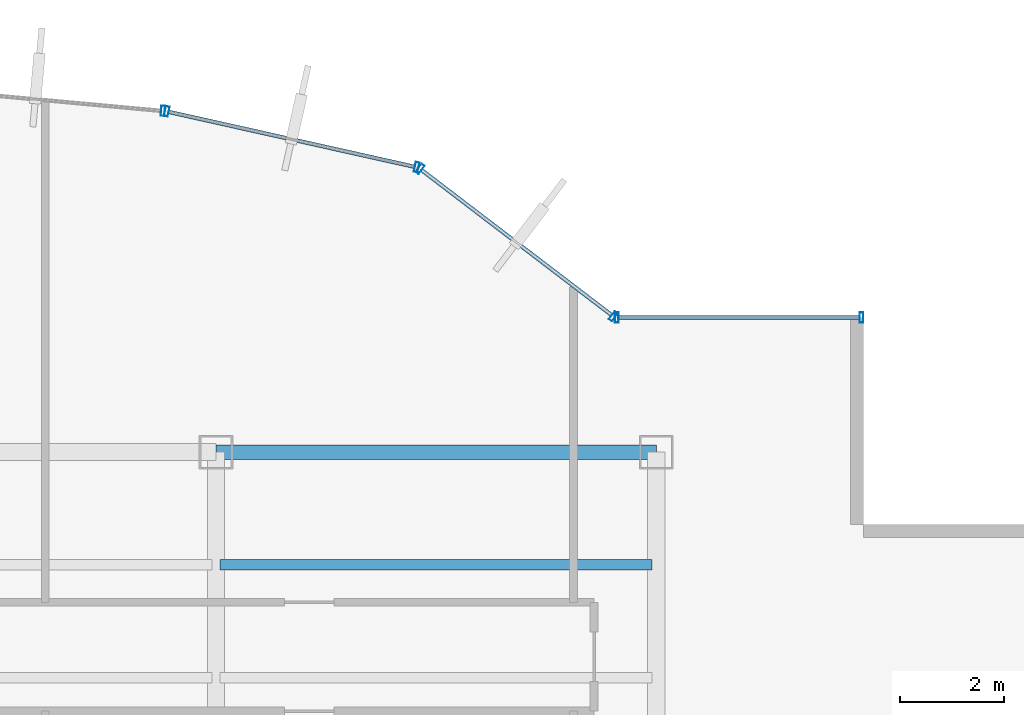
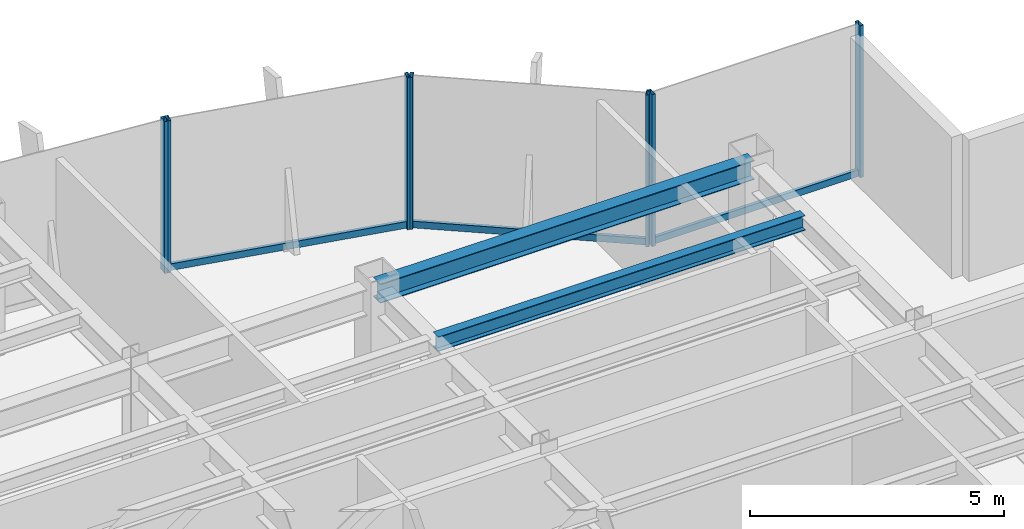
# One storey, part 17 of 25: 10 members, 2 beams, 4 elements without a shape of their own.
"""IFC4 building model written with IfcOpenShell, lengths in metres."""

from ifc_helpers import new_model, si_unit, derived_unit, direction, frame, origin, origin_2d, place, context, subcontext, project, spatial, hollow_rectangle, i_section, extrude, source, transform, mapped, material, material_profile, profile_set, type_object, element, aggregate, save


model = new_model("IFC4")

# Units and contexts
model_context = context("Model", 3, precision=1e-05, world=origin(), true_north=direction((0.0, 1.0)))
body_context = subcontext(model_context, "Body", "Model", "MODEL_VIEW")
ifc_project = project(units=[si_unit("LENGTHUNIT", "METRE"), si_unit("AREAUNIT", "SQUARE_METRE"), si_unit("VOLUMEUNIT", "CUBIC_METRE"), si_unit("PLANEANGLEUNIT", "RADIAN"), si_unit("MASSUNIT", "GRAM", prefix="KILO"), derived_unit("THERMALTRANSMITTANCEUNIT", [(si_unit("POWERUNIT", "WATT"), 1), (si_unit("LENGTHUNIT", "METRE"), -2), (si_unit("THERMODYNAMICTEMPERATUREUNIT", "KELVIN"), -1)])], contexts=[model_context])

# Site, building, storey
site_placement = place(None, origin())
site = spatial("IfcSite", under=ifc_project, at=site_placement, CompositionType="ELEMENT")
building_placement = place(site_placement, origin())
building = spatial("IfcBuilding", under=site, at=building_placement, Name="Skarnbrae Concourse Arena and Tower", CompositionType="ELEMENT")
storey_placement = place(building_placement, frame((0.0, 0.0, 173.449951171875)))
storey = spatial("IfcBuildingStorey", under=building, at=storey_placement, Name="L44", CompositionType="ELEMENT", Elevation=173.449951171875)

# Beams
ifc_material_1 = material(Name="Steel CSA G40.21 350W", Category="steel")
ifc_material_profile_1 = material_profile(ifc_material_1, i_section(OverallWidth=0.280029296875, OverallDepth=0.462890625, WebThickness=0.0107421875, FlangeThickness=0.017333984375, at=origin_2d()), Name="W460X113")
ifc_profile_set_1 = profile_set([ifc_material_profile_1], Name="Steel CSA G40.21 350W")
beam_type_1 = type_object("IfcBeamType", Name="BM-SPAN-W460X113", PredefinedType="SPANDREL", material=ifc_profile_set_1)
shared_shape_1 = source(origin(), body_context, "Body", "SweptSolid", [
    extrude(i_section(OverallWidth=0.280029296875, OverallDepth=0.462890625, WebThickness=0.0107421875, FlangeThickness=0.017333984375, at=origin_2d()), origin(), (0.0, 0.0, 1.0), 8.5),
])
beam_1_placement = place(storey_placement, frame((33.5, 34.39990234375, 3.16845703125), z_axis=(1.0, 0.0, 0.0), x_axis=(0.0, 1.0, 0.0)))
element("IfcBeam", 1, at=beam_1_placement, inside=storey, type_object=beam_type_1, Name="L44 Perimeter spandrel Y34.4-5", PredefinedType="SPANDREL", context=body_context, shape_type="MappedRepresentation", body=[
    mapped(shared_shape_1, transform((0.0, 0.0, 0.0))),
])
ifc_material_profile_2 = material_profile(ifc_material_1, i_section(OverallWidth=0.205078125, OverallDepth=0.35400390625, WebThickness=0.009521484375, FlangeThickness=0.016845703125, at=origin_2d()), Name="W360X79")
ifc_profile_set_2 = profile_set([ifc_material_profile_2], Name="Steel CSA G40.21 350W")
beam_type_2 = type_object("IfcBeamType", Name="BM-JOIST-W360X79", PredefinedType="JOIST", material=ifc_profile_set_2)
shared_shape_2 = source(origin(), body_context, "Body", "SweptSolid", [
    extrude(i_section(OverallWidth=0.205078125, OverallDepth=0.35400390625, WebThickness=0.009521484375, FlangeThickness=0.016845703125, at=origin_2d()), origin(), (0.0, 0.0, 1.0), 8.33984375),
])
beam_2_placement = place(storey_placement, frame((33.580078125, 32.221923828125, 3.22314453125), z_axis=(1.0, 0.0, 0.0), x_axis=(0.0, 1.0, 0.0)))
element("IfcBeam", 2, at=beam_2_placement, inside=storey, type_object=beam_type_2, Name="L44 Secondary floor joist 3.2.5", PredefinedType="JOIST", context=body_context, shape_type="MappedRepresentation", body=[
    mapped(shared_shape_2, transform((0.0, 0.0, 0.0))),
])

# Curtain wall, members
ifc_material_2 = material(Name="Bronze anodised aluminium 6063-T6", Category="aluminium")
curtain_wall_type = type_object("IfcCurtainWallType", Name="CW-SYS-04-MIDZONE", PredefinedType="USERDEFINED", material=ifc_material_2)
curtain_wall_1_placement = place(storey_placement, origin())
curtain_wall_1 = element("IfcCurtainWall", 3, at=curtain_wall_1_placement, inside=storey, type_object=curtain_wall_type, Name="L44 Unitised curtain wall CW-L44-E07", ObjectType="UNITISED CURTAIN WALL", PredefinedType="USERDEFINED")
ifc_material_profile_3 = material_profile(ifc_material_2, hollow_rectangle(XDim=0.074951171875, YDim=0.195068359375, WallThickness=0.00439453125, at=origin_2d()), Name="ALU-MULL-75X195")
ifc_profile_set_3 = profile_set([ifc_material_profile_3], Name="Bronze anodised aluminium 6063-T6")
member_type_1 = type_object("IfcMemberType", Name="CWM-CW-04", PredefinedType="MULLION", material=ifc_profile_set_3)
shared_shape_3 = source(origin(), body_context, "Body", "SweptSolid", [
    extrude(hollow_rectangle(XDim=0.074951171875, YDim=0.195068359375, WallThickness=0.00439453125, at=origin_2d()), origin(), (0.0, 0.0, 1.0), 3.650146484375),
])
member_1_placement = place(storey_placement, frame((45.96240234375, 37.0, 0.0), z_axis=(0.0, 0.0, 1.0), x_axis=(-1.0, 0.0, 0.0)))
member_1 = element("IfcMember", 4, at=member_1_placement, type_object=member_type_1, Name="CW-L44-E07 Mullion 1", PredefinedType="MULLION", context=body_context, shape_type="MappedRepresentation", body=[
    mapped(shared_shape_3, transform((0.0, 0.0, 0.0))),
])
member_2_placement = place(storey_placement, frame((41.237548828125, 37.0, 0.0), z_axis=(0.0, 0.0, 1.0), x_axis=(-1.0, 0.0, 0.0)))
member_2 = element("IfcMember", 5, at=member_2_placement, type_object=member_type_1, Name="CW-L44-E07 Mullion 2", PredefinedType="MULLION", context=body_context, shape_type="MappedRepresentation", body=[
    mapped(shared_shape_3, transform((0.0, 0.0, 0.0))),
])

curtain_wall_2_placement = place(storey_placement, origin())
curtain_wall_2 = element("IfcCurtainWall", 6, at=curtain_wall_2_placement, inside=storey, type_object=curtain_wall_type, Name="L44 Unitised curtain wall CW-L44-E08", ObjectType="UNITISED CURTAIN WALL", PredefinedType="USERDEFINED")
member_3_placement = place(storey_placement, frame((41.170166015625, 37.022705078125, 0.0), z_axis=(0.0, 0.0, 1.0), x_axis=(-0.794956000706, 0.606667089054, 0.0)))
member_3 = element("IfcMember", 7, at=member_3_placement, type_object=member_type_1, Name="CW-L44-E08 Mullion 1", PredefinedType="MULLION", context=body_context, shape_type="MappedRepresentation", body=[
    mapped(shared_shape_3, transform((0.0, 0.0, 0.0))),
])
member_4_placement = place(storey_placement, frame((37.439208984375, 39.869873046875, 0.0), z_axis=(0.0, 0.0, 1.0), x_axis=(-0.794956000706, 0.606667089054, 0.0)))
member_4 = element("IfcMember", 8, at=member_4_placement, type_object=member_type_1, Name="CW-L44-E08 Mullion 2", PredefinedType="MULLION", context=body_context, shape_type="MappedRepresentation", body=[
    mapped(shared_shape_3, transform((0.0, 0.0, 0.0))),
])

curtain_wall_3_placement = place(storey_placement, origin())
curtain_wall_3 = element("IfcCurtainWall", 9, at=curtain_wall_3_placement, inside=storey, type_object=curtain_wall_type, Name="L44 Unitised curtain wall CW-L44-E09", ObjectType="UNITISED CURTAIN WALL", PredefinedType="USERDEFINED")
member_5_placement = place(storey_placement, frame((37.372802734375, 39.90087890625, 0.0), z_axis=(0.0, 0.0, 1.0), x_axis=(-0.975936175393, 0.218056372433, 0.0)))
member_5 = element("IfcMember", 10, at=member_5_placement, type_object=member_type_1, Name="CW-L44-E09 Mullion 1", PredefinedType="MULLION", context=body_context, shape_type="MappedRepresentation", body=[
    mapped(shared_shape_3, transform((0.0, 0.0, 0.0))),
])
member_6_placement = place(storey_placement, frame((32.548828125, 40.978759765625, 0.0), z_axis=(0.0, 0.0, 1.0), x_axis=(-0.975936175393, 0.218056372433, 0.0)))
member_6 = element("IfcMember", 11, at=member_6_placement, type_object=member_type_1, Name="CW-L44-E09 Mullion 2", PredefinedType="MULLION", context=body_context, shape_type="MappedRepresentation", body=[
    mapped(shared_shape_3, transform((0.0, 0.0, 0.0))),
])

# Curtain wall, member
curtain_wall_4_placement = place(storey_placement, origin())
curtain_wall_4 = element("IfcCurtainWall", 12, at=curtain_wall_4_placement, inside=storey, type_object=curtain_wall_type, Name="L44 Unitised curtain wall CW-L44-E10", ObjectType="UNITISED CURTAIN WALL", PredefinedType="USERDEFINED")
member_7_placement = place(storey_placement, frame((32.47509765625, 40.990234375, 0.0), z_axis=(0.0, 0.0, 1.0), x_axis=(-0.995819926016, 0.091338244731, 0.0)))
member_7 = element("IfcMember", 13, at=member_7_placement, type_object=member_type_1, Name="CW-L44-E10 Mullion 1", PredefinedType="MULLION", context=body_context, shape_type="MappedRepresentation", body=[
    mapped(shared_shape_3, transform((0.0, 0.0, 0.0))),
])
aggregate(curtain_wall_4, [member_7])

# Member
ifc_material_profile_4 = material_profile(ifc_material_2, hollow_rectangle(XDim=0.074951171875, YDim=0.159912109375, WallThickness=0.00439453125, at=origin_2d()), Name="ALU-TRAN-75X160")
ifc_profile_set_4 = profile_set([ifc_material_profile_4], Name="Bronze anodised aluminium 6063-T6")
member_type_2 = type_object("IfcMemberType", Name="CWT-CW-04", PredefinedType="USERDEFINED", material=ifc_profile_set_4)
shared_shape_4 = source(origin(), body_context, "Body", "SweptSolid", [
    extrude(hollow_rectangle(XDim=0.074951171875, YDim=0.159912109375, WallThickness=0.00439453125, at=origin_2d()), origin(), (0.0, 0.0, 1.0), 4.650146484375),
])
member_8_placement = place(storey_placement, frame((45.925048828125, 37.0, 0.080078125), z_axis=(-1.0, 0.0, 0.0), x_axis=(0.0, -1.0, 0.0)))
member_8 = element("IfcMember", 14, at=member_8_placement, type_object=member_type_2, Name="CW-L44-E07 Transom 1", ObjectType="TRANSOM", PredefinedType="USERDEFINED", context=body_context, shape_type="MappedRepresentation", body=[
    mapped(shared_shape_4, transform((0.0, 0.0, 0.0))),
])

aggregate(curtain_wall_1, [member_1, member_2, member_8])

shared_shape_5 = source(origin(), body_context, "Body", "SweptSolid", [
    extrude(hollow_rectangle(XDim=0.074951171875, YDim=0.159912109375, WallThickness=0.00439453125, at=origin_2d()), origin(), (0.0, 0.0, 1.0), 4.618408203125),
])
member_9_placement = place(storey_placement, frame((41.140380859375, 37.04541015625, 0.080078125), z_axis=(-0.794960638756, 0.606661011462, 0.0), x_axis=(-0.606661011462, -0.794960638756, 0.0)))
member_9 = element("IfcMember", 15, at=member_9_placement, type_object=member_type_2, Name="CW-L44-E08 Transom 1", ObjectType="TRANSOM", PredefinedType="USERDEFINED", context=body_context, shape_type="MappedRepresentation", body=[
    mapped(shared_shape_5, transform((0.0, 0.0, 0.0))),
])

aggregate(curtain_wall_2, [member_3, member_4, member_9])

shared_shape_6 = source(origin(), body_context, "Body", "SweptSolid", [
    extrude(hollow_rectangle(XDim=0.074951171875, YDim=0.159912109375, WallThickness=0.00439453125, at=origin_2d()), origin(), (0.0, 0.0, 1.0), 4.867919921875),
])
member_10_placement = place(storey_placement, frame((37.336181640625, 39.9091796875, 0.080078125), z_axis=(-0.975944534406, 0.218018957349, 0.0), x_axis=(-0.218018957349, -0.975944534406, 0.0)))
member_10 = element("IfcMember", 16, at=member_10_placement, type_object=member_type_2, Name="CW-L44-E09 Transom 1", ObjectType="TRANSOM", PredefinedType="USERDEFINED", context=body_context, shape_type="MappedRepresentation", body=[
    mapped(shared_shape_6, transform((0.0, 0.0, 0.0))),
])

aggregate(curtain_wall_3, [member_5, member_6, member_10])

save(model, "model.ifc")
